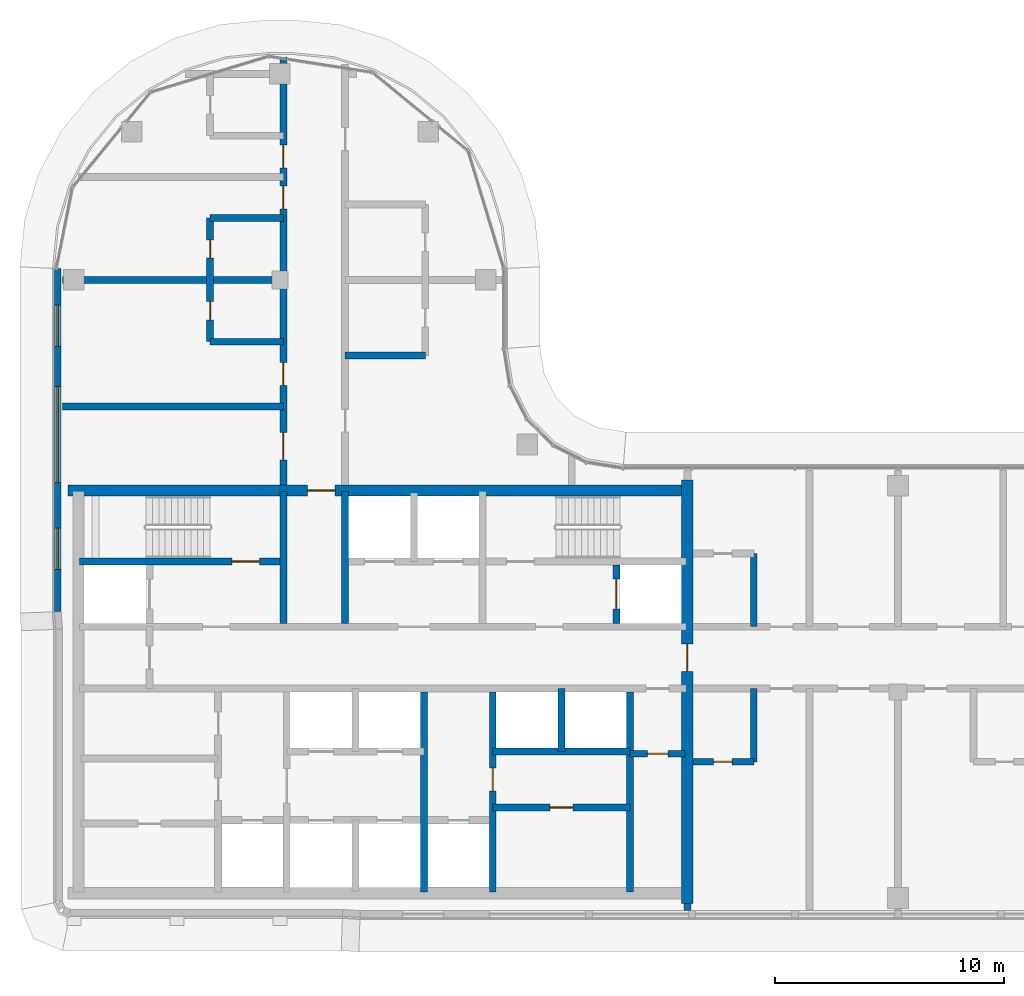
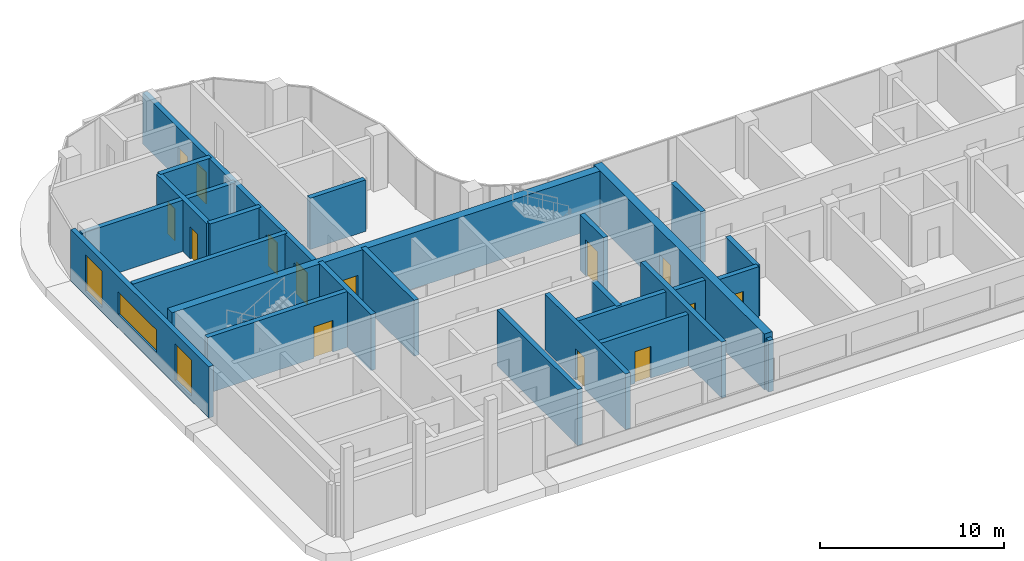
# One storey, part 13 of 22: 25 walls, 14 doors, 3 windows, 17 openings.
"""IFC4 building model written with IfcOpenShell, lengths in metres."""

from ifc_helpers import new_model, si_unit, direction, frame, frame_2d, origin, place, context, subcontext, project, spatial, rectangle, extrude, material, layer, layer_set, type_object, element, fill, save


model = new_model("IFC4")

# Units and contexts
model_context = context("Model", 3, precision=1e-05, world=origin(), true_north=direction((0.0, 1.0)))
body_context = subcontext(model_context, "Body", "Model", "MODEL_VIEW")
ifc_project = project(units=[si_unit("LENGTHUNIT", "METRE"), si_unit("AREAUNIT", "SQUARE_METRE"), si_unit("VOLUMEUNIT", "CUBIC_METRE"), si_unit("PLANEANGLEUNIT", "RADIAN"), si_unit("MASSUNIT", "GRAM", prefix="KILO")], contexts=[model_context])

# Site, building, storey
site_placement = place(None, origin())
site = spatial("IfcSite", under=ifc_project, at=site_placement, CompositionType="ELEMENT")
building_placement = place(site_placement, origin())
building = spatial("IfcBuilding", under=site, at=building_placement, Name="Ogive Portal Towers", CompositionType="ELEMENT")
storey_placement = place(building_placement, frame((0.0, 0.0, 206.89990234375)))
storey = spatial("IfcBuildingStorey", under=building, at=storey_placement, Name="L51", CompositionType="ELEMENT", Elevation=206.89990234375)

# Wall
ifc_material_1 = material(Name="Concrete C60/75", Category="concrete")
ifc_layer_1 = layer(ifc_material_1, 0.300048828125)
ifc_layer_set_1 = layer_set([ifc_layer_1], Name="CORE WALL 300 C60")
wall_type_1 = type_object("IfcWallType", Name="CORE WALL 300 C60", PredefinedType="SHEAR", material=ifc_layer_set_1)
wall_1_placement = place(storey_placement, frame((46.800048828125, 21.75, 0.0), z_axis=(0.0, 0.0, 1.0), x_axis=(0.0, 1.0, 0.0)))
element("IfcWall", 1, at=wall_1_placement, inside=storey, type_object=wall_type_1, Name="Core wall X3 L51", PredefinedType="SHEAR", context=body_context, shape_type="SweptSolid", body=[
    extrude(rectangle(XDim=8.75, YDim=0.300048828125, at=frame_2d((4.375, 0.0))), origin(), (0.0, 0.0, 1.0), 3.7001953125),
])

# Wall, opening, door
wall_2_placement = place(storey_placement, frame((49.800048828125, 21.75, 0.0), z_axis=(0.0, 0.0, 1.0), x_axis=(0.0, 1.0, 0.0)))
wall_2 = element("IfcWall", 2, at=wall_2_placement, inside=storey, type_object=wall_type_1, Name="Core wall X4 L51", PredefinedType="SHEAR", context=body_context, shape_type="SweptSolid", body=[
    extrude(rectangle(XDim=8.75, YDim=0.300048828125, at=frame_2d((4.375, 0.0))), origin(), (0.0, 0.0, 1.0), 3.7001953125),
])
opening_1_placement = place(wall_2_placement, frame((4.425048828125, 0.0, 0.0)))
opening_1 = element("IfcOpeningElement", 3, at=opening_1_placement, cuts=wall_2, Name="Opening D23-024", PredefinedType="OPENING", context=body_context, shape_type="SweptSolid", body=[
    extrude(rectangle(XDim=1.0, YDim=2.10009765625, at=frame_2d((0.5, 1.050048828125))), frame((0.0, 0.16015625, 0.0), z_axis=(0.0, -1.0, 0.0), x_axis=(1.0, 0.0, 0.0)), (0.0, 0.0, 1.0), 0.320068359375),
])
ifc_material_2 = material(Name="Steel fire door", Category="steel")
door_type_1 = type_object("IfcDoorType", Name="DT-SWING-1000x2100-FD90S", OperationType="SINGLE_SWING_LEFT", PredefinedType="DOOR", material=ifc_material_2)
door_1_placement = place(opening_1_placement, origin())
door_1 = element("IfcDoor", 4, at=door_1_placement, inside=storey, type_object=door_type_1, Name="Door D23-024", OperationType="SINGLE_SWING_RIGHT", OverallHeight=2.10009765625, OverallWidth=1.0, PredefinedType="DOOR", context=body_context, shape_type="SweptSolid", body=[
    extrude(rectangle(XDim=1.0, YDim=2.10009765625, at=frame_2d((0.5, 1.050048828125))), frame((0.0, 0.02490234375, 0.0), z_axis=(0.0, -1.0, 0.0), x_axis=(1.0, 0.0, 0.0)), (0.0, 0.0, 1.0), 0.050048828125),
])
fill(opening_1, door_1)

# Wall
wall_3_placement = place(storey_placement, frame((55.800048828125, 21.75, 0.0), z_axis=(0.0, 0.0, 1.0), x_axis=(0.0, 1.0, 0.0)))
element("IfcWall", 5, at=wall_3_placement, inside=storey, type_object=wall_type_1, Name="Core wall X5 L51", PredefinedType="SHEAR", context=body_context, shape_type="SweptSolid", body=[
    extrude(rectangle(XDim=8.75, YDim=0.300048828125, at=frame_2d((4.375, 0.0))), origin(), (0.0, 0.0, 1.0), 3.7001953125),
])

# Wall, opening, door
wall_4_placement = place(storey_placement, frame((31.75, 36.199951171875, 0.0), z_axis=(0.0, 0.0, 1.0), x_axis=(1.0, 0.0, 0.0)))
wall_4 = element("IfcWall", 6, at=wall_4_placement, inside=storey, type_object=wall_type_1, Name="Core wall Y3a L51", PredefinedType="SHEAR", context=body_context, shape_type="SweptSolid", body=[
    extrude(rectangle(XDim=8.75, YDim=0.300048828125, at=frame_2d((4.375, 0.0))), origin(), (0.0, 0.0, 1.0), 3.7001953125),
])
opening_2_placement = place(wall_4_placement, frame((6.64990234375, 0.0, 0.0)))
opening_2 = element("IfcOpeningElement", 7, at=opening_2_placement, cuts=wall_4, Name="Opening D23-005", PredefinedType="OPENING", context=body_context, shape_type="SweptSolid", body=[
    extrude(rectangle(XDim=1.199951171875, YDim=2.10009765625, at=frame_2d((0.60009765625, 1.050048828125))), frame((0.0, 0.16015625, 0.0), z_axis=(0.0, -1.0, 0.0), x_axis=(1.0, 0.0, 0.0)), (0.0, 0.0, 1.0), 0.320068359375),
])
door_type_2 = type_object("IfcDoorType", Name="DT-SWING-1200x2100-FD90S", OperationType="SINGLE_SWING_LEFT", PredefinedType="DOOR", material=ifc_material_2)
door_2_placement = place(opening_2_placement, origin())
door_2 = element("IfcDoor", 8, at=door_2_placement, inside=storey, type_object=door_type_2, Name="Door D23-005", OperationType="SINGLE_SWING_RIGHT", OverallHeight=2.10009765625, OverallWidth=1.199951171875, PredefinedType="DOOR", context=body_context, shape_type="SweptSolid", body=[
    extrude(rectangle(XDim=1.199951171875, YDim=2.10009765625, at=frame_2d((0.60009765625, 1.050048828125))), frame((0.0, 0.02490234375, 0.0), z_axis=(0.0, -1.0, 0.0), x_axis=(1.0, 0.0, 0.0)), (0.0, 0.0, 1.0), 0.050048828125),
])
fill(opening_2, door_2)

# Walls
for number, where, z_axis, x_axis, name in (
    (9, (40.64990234375, 33.5, 0.0), (0.0, 0.0, 1.0), (0.0, 1.0, 0.0), "Core wall X6 L51"),
    (10, (43.35009765625, 33.5, 0.0), (0.0, 0.0, 1.0), (0.0, 1.0, 0.0), "Core wall X7 L51"),
):
    element("IfcWall", number, at=place(storey_placement, frame(where, z_axis=z_axis, x_axis=x_axis)), inside=storey, type_object=wall_type_1, Name=name, PredefinedType="SHEAR", context=body_context, shape_type="SweptSolid", body=[
        extrude(rectangle(XDim=5.75, YDim=0.300048828125, at=frame_2d((2.875, 0.0))), origin(), (0.0, 0.0, 1.0), 3.7001953125),
    ])

# Wall, opening, door
wall_5_placement = place(storey_placement, frame((55.199951171875, 33.5, 0.0), z_axis=(0.0, 0.0, 1.0), x_axis=(0.0, 1.0, 0.0)))
wall_5 = element("IfcWall", 11, at=wall_5_placement, inside=storey, type_object=wall_type_1, Name="Core wall X10 L51", PredefinedType="SHEAR", context=body_context, shape_type="SweptSolid", body=[
    extrude(rectangle(XDim=2.550048828125, YDim=0.300048828125, at=frame_2d((1.27490234375, 0.0))), origin(), (0.0, 0.0, 1.0), 3.7001953125),
])
opening_3_placement = place(wall_5_placement, frame((0.625, 0.0, 0.0)))
opening_3 = element("IfcOpeningElement", 12, at=opening_3_placement, cuts=wall_5, Name="Opening D23-020", PredefinedType="OPENING", context=body_context, shape_type="SweptSolid", body=[
    extrude(rectangle(XDim=1.300048828125, YDim=2.39990234375, at=frame_2d((0.64990234375, 1.199951171875))), frame((0.0, 0.16015625, 0.0), z_axis=(0.0, -1.0, 0.0), x_axis=(1.0, 0.0, 0.0)), (0.0, 0.0, 1.0), 0.320068359375),
])
ifc_material_3 = material(Name="Stainless steel", Category="steel")
door_type_3 = type_object("IfcDoorType", Name="DT-LD-1300x2400", OperationType="SLIDING_TO_LEFT", PredefinedType="DOOR", material=ifc_material_3)
door_3_placement = place(opening_3_placement, origin())
door_3 = element("IfcDoor", 13, at=door_3_placement, inside=storey, type_object=door_type_3, Name="Door D23-020", OperationType="SLIDING_TO_LEFT", OverallHeight=2.39990234375, OverallWidth=1.300048828125, PredefinedType="DOOR", context=body_context, shape_type="SweptSolid", body=[
    extrude(rectangle(XDim=1.300048828125, YDim=2.39990234375, at=frame_2d((0.64990234375, 1.199951171875))), frame((0.0, 0.02490234375, 0.0), z_axis=(0.0, -1.0, 0.0), x_axis=(1.0, 0.0, 0.0)), (0.0, 0.0, 1.0), 0.050048828125),
])
fill(opening_3, door_3)

ifc_layer_2 = layer(ifc_material_1, 0.5)
ifc_layer_set_2 = layer_set([ifc_layer_2], Name="CORE WALL 500 C60")
wall_type_2 = type_object("IfcWallType", Name="CORE WALL 500 C60", PredefinedType="SHEAR", material=ifc_layer_set_2)
wall_6_placement = place(storey_placement, frame((58.300048828125, 21.25, 0.0), z_axis=(0.0, 0.0, 1.0), x_axis=(0.0, 1.0, 0.0)))
wall_6 = element("IfcWall", 14, at=wall_6_placement, inside=storey, type_object=wall_type_2, Name="Core wall E L51", PredefinedType="SHEAR", context=body_context, shape_type="SweptSolid", body=[
    extrude(rectangle(XDim=18.5, YDim=0.5, at=frame_2d((9.25, 0.0))), origin(), (0.0, 0.0, 1.0), 3.7001953125),
])
opening_4_placement = place(wall_6_placement, frame((10.14990234375, 0.0, 0.0)))
opening_4 = element("IfcOpeningElement", 15, at=opening_4_placement, cuts=wall_6, Name="Opening D23-011", PredefinedType="OPENING", context=body_context, shape_type="SweptSolid", body=[
    extrude(rectangle(XDim=1.199951171875, YDim=2.10009765625, at=frame_2d((0.60009765625, 1.050048828125))), frame((0.0, 0.260009765625, 0.0), z_axis=(0.0, -1.0, 0.0), x_axis=(1.0, 0.0, 0.0)), (0.0, 0.0, 1.0), 0.52001953125),
])
door_4_placement = place(opening_4_placement, origin())
door_4 = element("IfcDoor", 16, at=door_4_placement, inside=storey, type_object=door_type_2, Name="Door D23-011", OperationType="SINGLE_SWING_LEFT", OverallHeight=2.10009765625, OverallWidth=1.199951171875, PredefinedType="DOOR", context=body_context, shape_type="SweptSolid", body=[
    extrude(rectangle(XDim=1.199951171875, YDim=2.10009765625, at=frame_2d((0.60009765625, 1.050048828125))), frame((0.0, 0.02490234375, 0.0), z_axis=(0.0, -1.0, 0.0), x_axis=(1.0, 0.0, 0.0)), (0.0, 0.0, 1.0), 0.050048828125),
])
fill(opening_4, door_4)

wall_7_placement = place(storey_placement, frame((31.25, 39.300048828125, 0.0), z_axis=(0.0, 0.0, 1.0), x_axis=(1.0, 0.0, 0.0)))
wall_7 = element("IfcWall", 17, at=wall_7_placement, inside=storey, type_object=wall_type_2, Name="Core wall N L51", PredefinedType="SHEAR", context=body_context, shape_type="SweptSolid", body=[
    extrude(rectangle(XDim=27.0, YDim=0.5, at=frame_2d((13.5, 0.0))), origin(), (0.0, 0.0, 1.0), 3.7001953125),
])
opening_5_placement = place(wall_7_placement, frame((10.449951171875, 0.0, 0.0)))
opening_5 = element("IfcOpeningElement", 18, at=opening_5_placement, cuts=wall_7, Name="Opening D23-012", PredefinedType="OPENING", context=body_context, shape_type="SweptSolid", body=[
    extrude(rectangle(XDim=1.199951171875, YDim=2.10009765625, at=frame_2d((0.60009765625, 1.050048828125))), frame((0.0, 0.260009765625, 0.0), z_axis=(0.0, -1.0, 0.0), x_axis=(1.0, 0.0, 0.0)), (0.0, 0.0, 1.0), 0.52001953125),
])
door_5_placement = place(opening_5_placement, origin())
door_5 = element("IfcDoor", 19, at=door_5_placement, inside=storey, type_object=door_type_2, Name="Door D23-012", OperationType="SINGLE_SWING_RIGHT", OverallHeight=2.10009765625, OverallWidth=1.199951171875, PredefinedType="DOOR", context=body_context, shape_type="SweptSolid", body=[
    extrude(rectangle(XDim=1.199951171875, YDim=2.10009765625, at=frame_2d((0.60009765625, 1.050048828125))), frame((0.0, 0.02490234375, 0.0), z_axis=(0.0, -1.0, 0.0), x_axis=(1.0, 0.0, 0.0)), (0.0, 0.0, 1.0), 0.050048828125),
])
fill(opening_5, door_5)

# Wall, openings, windows
ifc_material_4 = material(Name="Limestone cladding on lightweight block wall", Category="masonry")
ifc_layer_3 = layer(ifc_material_4, 0.300048828125)
ifc_layer_set_3 = layer_set([ifc_layer_3], Name="EXTERNAL WALL 300 STONE")
wall_type_3 = type_object("IfcWallType", Name="EXTERNAL WALL 300 STONE", PredefinedType="SOLIDWALL", material=ifc_layer_set_3)
wall_8_placement = place(storey_placement, frame((30.794921875, 48.9921875, 0.0), z_axis=(0.0, 0.0, 1.0), x_axis=(0.0, -1.0, 0.0)))
wall_8 = element("IfcWall", 20, at=wall_8_placement, inside=storey, type_object=wall_type_3, Name="A:L51:f24:r0:wall", PredefinedType="SOLIDWALL", context=body_context, shape_type="SweptSolid", body=[
    extrude(rectangle(XDim=14.9814453125, YDim=0.300048828125, at=frame_2d((7.49072265625, 0.0))), origin(), (0.0, 0.0, 1.0), 3.400146484375),
])
opening_6_placement = place(wall_8_placement, frame((1.595947265625, 0.0, 0.300048828125)))
opening_6 = element("IfcOpeningElement", 21, at=opening_6_placement, cuts=wall_8, Name="Opening WN10", PredefinedType="OPENING", context=body_context, shape_type="SweptSolid", body=[
    extrude(rectangle(XDim=1.800048828125, YDim=2.39990234375, at=frame_2d((0.89990234375, 1.199951171875))), frame((0.0, 0.16015625, 0.0), z_axis=(0.0, -1.0, 0.0), x_axis=(1.0, 0.0, 0.0)), (0.0, 0.0, 1.0), 0.320068359375),
])
opening_7_placement = place(wall_8_placement, frame((5.14208984375, 0.0, 0.89990234375)))
opening_7 = element("IfcOpeningElement", 22, at=opening_7_placement, cuts=wall_8, Name="Opening WN11", PredefinedType="OPENING", context=body_context, shape_type="SweptSolid", body=[
    extrude(rectangle(XDim=4.199951171875, YDim=1.5, at=frame_2d((2.10009765625, 0.75))), frame((0.0, 0.16015625, 0.0), z_axis=(0.0, -1.0, 0.0), x_axis=(1.0, 0.0, 0.0)), (0.0, 0.0, 1.0), 0.320068359375),
])
opening_8_placement = place(wall_8_placement, frame((11.336669921875, 0.0, 0.300048828125)))
opening_8 = element("IfcOpeningElement", 23, at=opening_8_placement, cuts=wall_8, Name="Opening WN10", PredefinedType="OPENING", context=body_context, shape_type="SweptSolid", body=[
    extrude(rectangle(XDim=1.800048828125, YDim=2.39990234375, at=frame_2d((0.89990234375, 1.199951171875))), frame((0.0, 0.16015625, 0.0), z_axis=(0.0, -1.0, 0.0), x_axis=(1.0, 0.0, 0.0)), (0.0, 0.0, 1.0), 0.320068359375),
])
ifc_material_5 = material(Name="Glass, clear low-iron insulated glazing", Category="glass")
window_type_1 = type_object("IfcWindowType", Name="WINDOW RIBBON 4200x1500", PartitioningType="TRIPLE_PANEL_VERTICAL", PredefinedType="WINDOW", material=ifc_material_5)
window_1_placement = place(opening_7_placement, origin())
window_1 = element("IfcWindow", 24, at=window_1_placement, inside=storey, type_object=window_type_1, Name="A:L51:f24:r0:w1", OverallHeight=1.5, OverallWidth=4.199951171875, PartitioningType="SINGLE_PANEL", PredefinedType="WINDOW", context=body_context, shape_type="SweptSolid", body=[
    extrude(rectangle(XDim=4.199951171875, YDim=1.5, at=frame_2d((2.10009765625, 0.75))), frame((0.0, 0.030029296875, 0.0), z_axis=(0.0, -1.0, 0.0), x_axis=(1.0, 0.0, 0.0)), (0.0, 0.0, 1.0), 0.06005859375),
])
fill(opening_7, window_1)
window_type_2 = type_object("IfcWindowType", Name="WINDOW SUITE CORNER 1800x2400", PartitioningType="DOUBLE_PANEL_VERTICAL", PredefinedType="WINDOW", material=ifc_material_5)
window_2_placement = place(opening_6_placement, origin())
window_2 = element("IfcWindow", 25, at=window_2_placement, inside=storey, type_object=window_type_2, Name="A:L51:f24:r0:w0", OverallHeight=2.39990234375, OverallWidth=1.800048828125, PartitioningType="SINGLE_PANEL", PredefinedType="WINDOW", context=body_context, shape_type="SweptSolid", body=[
    extrude(rectangle(XDim=1.800048828125, YDim=2.39990234375, at=frame_2d((0.89990234375, 1.199951171875))), frame((0.0, 0.030029296875, 0.0), z_axis=(0.0, -1.0, 0.0), x_axis=(1.0, 0.0, 0.0)), (0.0, 0.0, 1.0), 0.06005859375),
])
fill(opening_6, window_2)
window_3_placement = place(opening_8_placement, origin())
window_3 = element("IfcWindow", 26, at=window_3_placement, inside=storey, type_object=window_type_2, Name="A:L51:f24:r0:w2", OverallHeight=2.39990234375, OverallWidth=1.800048828125, PartitioningType="SINGLE_PANEL", PredefinedType="WINDOW", context=body_context, shape_type="SweptSolid", body=[
    extrude(rectangle(XDim=1.800048828125, YDim=2.39990234375, at=frame_2d((0.89990234375, 1.199951171875))), frame((0.0, 0.030029296875, 0.0), z_axis=(0.0, -1.0, 0.0), x_axis=(1.0, 0.0, 0.0)), (0.0, 0.0, 1.0), 0.06005859375),
])
fill(opening_8, window_3)

# Wall, opening, door
ifc_material_6 = material(Name="Gypsum board partition on steel studs", Category="steel")
ifc_layer_4 = layer(ifc_material_6, 0.300048828125)
ifc_layer_set_4 = layer_set([ifc_layer_4], Name="WT-PART-300")
wall_type_4 = type_object("IfcWallType", Name="WT-PART-300", PredefinedType="PARTITIONING", material=ifc_layer_set_4)
wall_9_placement = place(storey_placement, frame((49.800048828125, 25.449951171875, 0.0), z_axis=(0.0, 0.0, 1.0), x_axis=(1.0, 0.0, 0.0)))
wall_9 = element("IfcWall", 27, at=wall_9_placement, inside=storey, type_object=wall_type_4, Name="Wall pw:003:L51", PredefinedType="PARTITIONING", context=body_context, shape_type="SweptSolid", body=[
    extrude(rectangle(XDim=6.0, YDim=0.300048828125, at=frame_2d((3.0, 0.0))), origin(), (0.0, 0.0, 1.0), 3.400146484375),
])
opening_9_placement = place(wall_9_placement, frame((2.5, 0.0, 0.0)))
opening_9 = element("IfcOpeningElement", 28, at=opening_9_placement, cuts=wall_9, Name="Opening D23-025", PredefinedType="OPENING", context=body_context, shape_type="SweptSolid", body=[
    extrude(rectangle(XDim=1.0, YDim=2.10009765625, at=frame_2d((0.5, 1.050048828125))), frame((0.0, 0.16015625, 0.0), z_axis=(0.0, -1.0, 0.0), x_axis=(1.0, 0.0, 0.0)), (0.0, 0.0, 1.0), 0.320068359375),
])
door_type_4 = type_object("IfcDoorType", Name="DT-SWING-1000x2100-FD60S", OperationType="SINGLE_SWING_LEFT", PredefinedType="DOOR", material=ifc_material_2)
door_6_placement = place(opening_9_placement, origin())
door_6 = element("IfcDoor", 29, at=door_6_placement, inside=storey, type_object=door_type_4, Name="Door D23-025", OperationType="SINGLE_SWING_RIGHT", OverallHeight=2.10009765625, OverallWidth=1.0, PredefinedType="DOOR", context=body_context, shape_type="SweptSolid", body=[
    extrude(rectangle(XDim=1.0, YDim=2.10009765625, at=frame_2d((0.5, 1.050048828125))), frame((0.0, 0.02490234375, 0.0), z_axis=(0.0, -1.0, 0.0), x_axis=(1.0, 0.0, 0.0)), (0.0, 0.0, 1.0), 0.050048828125),
])
fill(opening_9, door_6)

wall_10_placement = place(storey_placement, frame((55.800048828125, 27.800048828125, 0.0), z_axis=(0.0, 0.0, 1.0), x_axis=(1.0, 0.0, 0.0)))
wall_10 = element("IfcWall", 30, at=wall_10_placement, inside=storey, type_object=wall_type_4, Name="Wall pw:005:L51", PredefinedType="PARTITIONING", context=body_context, shape_type="SweptSolid", body=[
    extrude(rectangle(XDim=2.39990234375, YDim=0.300048828125, at=frame_2d((1.199951171875, 0.0))), origin(), (0.0, 0.0, 1.0), 3.400146484375),
])
opening_10_placement = place(wall_10_placement, frame((0.75, 0.0, 0.0)))
opening_10 = element("IfcOpeningElement", 31, at=opening_10_placement, cuts=wall_10, Name="Opening D23-010", PredefinedType="OPENING", context=body_context, shape_type="SweptSolid", body=[
    extrude(rectangle(XDim=0.89990234375, YDim=2.10009765625, at=frame_2d((0.449951171875, 1.050048828125))), frame((0.0, 0.16015625, 0.0), z_axis=(0.0, -1.0, 0.0), x_axis=(1.0, 0.0, 0.0)), (0.0, 0.0, 1.0), 0.320068359375),
])
door_type_5 = type_object("IfcDoorType", Name="DT-SWING-900x2100-FD60S", OperationType="SINGLE_SWING_LEFT", PredefinedType="DOOR", material=ifc_material_2)
door_7_placement = place(opening_10_placement, origin())
door_7 = element("IfcDoor", 32, at=door_7_placement, inside=storey, type_object=door_type_5, Name="Door D23-010", OperationType="SINGLE_SWING_RIGHT", OverallHeight=2.10009765625, OverallWidth=0.89990234375, PredefinedType="DOOR", context=body_context, shape_type="SweptSolid", body=[
    extrude(rectangle(XDim=0.89990234375, YDim=2.10009765625, at=frame_2d((0.449951171875, 1.050048828125))), frame((0.0, 0.02490234375, 0.0), z_axis=(0.0, -1.0, 0.0), x_axis=(1.0, 0.0, 0.0)), (0.0, 0.0, 1.0), 0.050048828125),
])
fill(opening_10, door_7)

# Wall
ifc_layer_5 = layer(ifc_material_6, 0.300048828125)
ifc_layer_set_5 = layer_set([ifc_layer_5], Name="WT-PART-300-EI 120")
wall_type_5 = type_object("IfcWallType", Name="WT-PART-300-EI 120", PredefinedType="PARTITIONING", material=ifc_layer_set_5)
wall_11_placement = place(storey_placement, frame((58.300048828125, 21.25, 0.0), z_axis=(0.0, 0.0, 1.0), x_axis=(0.0, -1.0, 0.0)))
element("IfcWall", 33, at=wall_11_placement, inside=storey, type_object=wall_type_5, Name="Wall L51:wc01", PredefinedType="PARTITIONING", context=body_context, shape_type="SweptSolid", body=[
    extrude(rectangle(XDim=0.294921875, YDim=0.300048828125, at=frame_2d((0.1474609375, 0.0))), origin(), (0.0, 0.0, 1.0), 3.400146484375),
])

# Wall, opening, door
ifc_layer_6 = layer(ifc_material_6, 0.300048828125)
ifc_layer_set_6 = layer_set([ifc_layer_6], Name="WT-PART-300-EI 60")
wall_type_6 = type_object("IfcWallType", Name="WT-PART-300-EI 60", PredefinedType="PARTITIONING", material=ifc_layer_set_6)
wall_12_placement = place(storey_placement, frame((58.550048828125, 27.449951171875, 0.0), z_axis=(0.0, 0.0, 1.0), x_axis=(1.0, 0.0, 0.0)))
wall_12 = element("IfcWall", 34, at=wall_12_placement, inside=storey, type_object=wall_type_6, Name="Wall L51:w002", PredefinedType="PARTITIONING", context=body_context, shape_type="SweptSolid", body=[
    extrude(rectangle(XDim=2.64990234375, YDim=0.300048828125, at=frame_2d((1.324951171875, 0.0))), origin(), (0.0, 0.0, 1.0), 3.400146484375),
])
opening_11_placement = place(wall_12_placement, frame((0.89990234375, 0.0, 0.0)))
opening_11 = element("IfcOpeningElement", 35, at=opening_11_placement, cuts=wall_12, Name="Opening D23-030", PredefinedType="OPENING", context=body_context, shape_type="SweptSolid", body=[
    extrude(rectangle(XDim=0.800048828125, YDim=2.10009765625, at=frame_2d((0.39990234375, 1.050048828125))), frame((0.0, 0.16015625, 0.0), z_axis=(0.0, -1.0, 0.0), x_axis=(1.0, 0.0, 0.0)), (0.0, 0.0, 1.0), 0.320068359375),
])
door_type_6 = type_object("IfcDoorType", Name="DT-BATH-800x2100-FD60S", OperationType="SINGLE_SWING_LEFT", PredefinedType="DOOR", material=ifc_material_2)
door_8_placement = place(opening_11_placement, origin())
door_8 = element("IfcDoor", 36, at=door_8_placement, inside=storey, type_object=door_type_6, Name="Door D23-030", OperationType="SINGLE_SWING_LEFT", OverallHeight=2.10009765625, OverallWidth=0.800048828125, PredefinedType="DOOR", context=body_context, shape_type="SweptSolid", body=[
    extrude(rectangle(XDim=0.800048828125, YDim=2.10009765625, at=frame_2d((0.39990234375, 1.050048828125))), frame((0.0, 0.02490234375, 0.0), z_axis=(0.0, -1.0, 0.0), x_axis=(1.0, 0.0, 0.0)), (0.0, 0.0, 1.0), 0.050048828125),
])
fill(opening_11, door_8)

# Walls
wall_13_placement = place(storey_placement, frame((30.9951171875, 42.969970703125, 0.0), z_axis=(0.0, 0.0, 1.0), x_axis=(1.0, 0.0, 0.0)))
element("IfcWall", 37, at=wall_13_placement, inside=storey, type_object=wall_type_6, Name="Wall L51:w012", PredefinedType="PARTITIONING", context=body_context, shape_type="SweptSolid", body=[
    extrude(rectangle(XDim=9.65478515625, YDim=0.300048828125, at=frame_2d((4.827392578125, 0.0))), origin(), (0.0, 0.0, 1.0), 3.400146484375),
])
wall_14_placement = place(storey_placement, frame((43.35009765625, 45.199951171875, 0.0), z_axis=(0.0, 0.0, 1.0), x_axis=(1.0, 0.0, 0.0)))
element("IfcWall", 38, at=wall_14_placement, inside=storey, type_object=wall_type_6, Name="Wall L51:w013", PredefinedType="PARTITIONING", context=body_context, shape_type="SweptSolid", body=[
    extrude(rectangle(XDim=3.5, YDim=0.300048828125, at=frame_2d((1.75, 0.0))), origin(), (0.0, 0.0, 1.0), 3.400146484375),
])
wall_15_placement = place(storey_placement, frame((37.449951171875, 45.800048828125, 0.0), z_axis=(0.0, 0.0, 1.0), x_axis=(1.0, 0.0, 0.0)))
element("IfcWall", 39, at=wall_15_placement, inside=storey, type_object=wall_type_6, Name="Wall L51:w014", PredefinedType="PARTITIONING", context=body_context, shape_type="SweptSolid", body=[
    extrude(rectangle(XDim=3.199951171875, YDim=0.300048828125, at=frame_2d((1.60009765625, 0.0))), origin(), (0.0, 0.0, 1.0), 3.400146484375),
])
wall_16_placement = place(storey_placement, frame((30.9951171875, 48.5, 0.0), z_axis=(0.0, 0.0, 1.0), x_axis=(1.0, 0.0, 0.0)))
element("IfcWall", 40, at=wall_16_placement, inside=storey, type_object=wall_type_6, Name="Wall L51:w015", PredefinedType="PARTITIONING", context=body_context, shape_type="SweptSolid", body=[
    extrude(rectangle(XDim=9.65478515625, YDim=0.300048828125, at=frame_2d((4.827392578125, 0.0))), origin(), (0.0, 0.0, 1.0), 3.400146484375),
])
wall_17_placement = place(storey_placement, frame((37.449951171875, 51.199951171875, 0.0), z_axis=(0.0, 0.0, 1.0), x_axis=(1.0, 0.0, 0.0)))
element("IfcWall", 41, at=wall_17_placement, inside=storey, type_object=wall_type_6, Name="Wall L51:w017", PredefinedType="PARTITIONING", context=body_context, shape_type="SweptSolid", body=[
    extrude(rectangle(XDim=3.199951171875, YDim=0.300048828125, at=frame_2d((1.60009765625, 0.0))), origin(), (0.0, 0.0, 1.0), 3.400146484375),
])

# Wall, openings, doors
wall_18_placement = place(storey_placement, frame((37.449951171875, 45.800048828125, 0.0), z_axis=(0.0, 0.0, 1.0), x_axis=(0.0, 1.0, 0.0)))
wall_18 = element("IfcWall", 42, at=wall_18_placement, inside=storey, type_object=wall_type_6, Name="Wall L51:w023", PredefinedType="PARTITIONING", context=body_context, shape_type="SweptSolid", body=[
    extrude(rectangle(XDim=5.39990234375, YDim=0.300048828125, at=frame_2d((2.699951171875, 0.0))), origin(), (0.0, 0.0, 1.0), 3.400146484375),
])
opening_12_placement = place(wall_18_placement, frame((0.949951171875, 0.0, 0.0)))
opening_12 = element("IfcOpeningElement", 43, at=opening_12_placement, cuts=wall_18, Name="Opening D23-048", PredefinedType="OPENING", context=body_context, shape_type="SweptSolid", body=[
    extrude(rectangle(XDim=0.800048828125, YDim=2.10009765625, at=frame_2d((0.39990234375, 1.050048828125))), frame((0.0, 0.16015625, 0.0), z_axis=(0.0, -1.0, 0.0), x_axis=(1.0, 0.0, 0.0)), (0.0, 0.0, 1.0), 0.320068359375),
])
opening_13_placement = place(wall_18_placement, frame((3.64990234375, 0.0, 0.0)))
opening_13 = element("IfcOpeningElement", 44, at=opening_13_placement, cuts=wall_18, Name="Opening D23-052", PredefinedType="OPENING", context=body_context, shape_type="SweptSolid", body=[
    extrude(rectangle(XDim=0.800048828125, YDim=2.10009765625, at=frame_2d((0.39990234375, 1.050048828125))), frame((0.0, 0.16015625, 0.0), z_axis=(0.0, -1.0, 0.0), x_axis=(1.0, 0.0, 0.0)), (0.0, 0.0, 1.0), 0.320068359375),
])
door_9_placement = place(opening_12_placement, origin())
door_9 = element("IfcDoor", 45, at=door_9_placement, inside=storey, type_object=door_type_6, Name="Door D23-048", OperationType="SINGLE_SWING_LEFT", OverallHeight=2.10009765625, OverallWidth=0.800048828125, PredefinedType="DOOR", context=body_context, shape_type="SweptSolid", body=[
    extrude(rectangle(XDim=0.800048828125, YDim=2.10009765625, at=frame_2d((0.39990234375, 1.050048828125))), frame((0.0, 0.02490234375, 0.0), z_axis=(0.0, -1.0, 0.0), x_axis=(1.0, 0.0, 0.0)), (0.0, 0.0, 1.0), 0.050048828125),
])
fill(opening_12, door_9)
door_10_placement = place(opening_13_placement, origin())
door_10 = element("IfcDoor", 46, at=door_10_placement, inside=storey, type_object=door_type_6, Name="Door D23-052", OperationType="SINGLE_SWING_RIGHT", OverallHeight=2.10009765625, OverallWidth=0.800048828125, PredefinedType="DOOR", context=body_context, shape_type="SweptSolid", body=[
    extrude(rectangle(XDim=0.800048828125, YDim=2.10009765625, at=frame_2d((0.39990234375, 1.050048828125))), frame((0.0, 0.02490234375, 0.0), z_axis=(0.0, -1.0, 0.0), x_axis=(1.0, 0.0, 0.0)), (0.0, 0.0, 1.0), 0.050048828125),
])
fill(opening_13, door_10)

wall_19_placement = place(storey_placement, frame((40.64990234375, 39.550048828125, 0.0), z_axis=(0.0, 0.0, 1.0), x_axis=(0.0, 1.0, 0.0)))
wall_19 = element("IfcWall", 47, at=wall_19_placement, inside=storey, type_object=wall_type_6, Name="Wall L51:w025", PredefinedType="PARTITIONING", context=body_context, shape_type="SweptSolid", body=[
    extrude(rectangle(XDim=18.695068359375, YDim=0.300048828125, at=frame_2d((9.34765625, 0.0))), origin(), (0.0, 0.0, 1.0), 3.400146484375),
])
opening_14_placement = place(wall_19_placement, frame((1.0849609375, 0.0, 0.0)))
opening_14 = element("IfcOpeningElement", 48, at=opening_14_placement, cuts=wall_19, Name="Opening D23-047", PredefinedType="OPENING", context=body_context, shape_type="SweptSolid", body=[
    extrude(rectangle(XDim=1.199951171875, YDim=2.10009765625, at=frame_2d((0.60009765625, 1.050048828125))), frame((0.0, 0.16015625, 0.0), z_axis=(0.0, -1.0, 0.0), x_axis=(1.0, 0.0, 0.0)), (0.0, 0.0, 1.0), 0.320068359375),
])
opening_15_placement = place(wall_19_placement, frame((4.3349609375, 0.0, 0.0)))
opening_15 = element("IfcOpeningElement", 49, at=opening_15_placement, cuts=wall_19, Name="Opening D23-049", PredefinedType="OPENING", context=body_context, shape_type="SweptSolid", body=[
    extrude(rectangle(XDim=1.0, YDim=2.10009765625, at=frame_2d((0.5, 1.050048828125))), frame((0.0, 0.16015625, 0.0), z_axis=(0.0, -1.0, 0.0), x_axis=(1.0, 0.0, 0.0)), (0.0, 0.0, 1.0), 0.320068359375),
])
opening_16_placement = place(wall_19_placement, frame((12.050048828125, 0.0, 0.0)))
opening_16 = element("IfcOpeningElement", 50, at=opening_16_placement, cuts=wall_19, Name="Opening D23-053", PredefinedType="OPENING", context=body_context, shape_type="SweptSolid", body=[
    extrude(rectangle(XDim=1.0, YDim=2.10009765625, at=frame_2d((0.5, 1.050048828125))), frame((0.0, 0.16015625, 0.0), z_axis=(0.0, -1.0, 0.0), x_axis=(1.0, 0.0, 0.0)), (0.0, 0.0, 1.0), 0.320068359375),
])
opening_17_placement = place(wall_19_placement, frame((13.85009765625, 0.0, 0.0)))
opening_17 = element("IfcOpeningElement", 51, at=opening_17_placement, cuts=wall_19, Name="Opening D23-055", PredefinedType="OPENING", context=body_context, shape_type="SweptSolid", body=[
    extrude(rectangle(XDim=1.0, YDim=2.10009765625, at=frame_2d((0.5, 1.050048828125))), frame((0.0, 0.16015625, 0.0), z_axis=(0.0, -1.0, 0.0), x_axis=(1.0, 0.0, 0.0)), (0.0, 0.0, 1.0), 0.320068359375),
])
door_type_7 = type_object("IfcDoorType", Name="DT-ENTRY-1000x2100-FD60S", OperationType="SINGLE_SWING_LEFT", PredefinedType="DOOR", material=ifc_material_2)
door_11_placement = place(opening_15_placement, origin())
door_11 = element("IfcDoor", 52, at=door_11_placement, inside=storey, type_object=door_type_7, Name="Door D23-049", OperationType="SINGLE_SWING_LEFT", OverallHeight=2.10009765625, OverallWidth=1.0, PredefinedType="DOOR", context=body_context, shape_type="SweptSolid", body=[
    extrude(rectangle(XDim=1.0, YDim=2.10009765625, at=frame_2d((0.5, 1.050048828125))), frame((0.0, 0.02490234375, 0.0), z_axis=(0.0, -1.0, 0.0), x_axis=(1.0, 0.0, 0.0)), (0.0, 0.0, 1.0), 0.050048828125),
])
fill(opening_15, door_11)
door_12_placement = place(opening_16_placement, origin())
door_12 = element("IfcDoor", 53, at=door_12_placement, inside=storey, type_object=door_type_7, Name="Door D23-053", OperationType="SINGLE_SWING_LEFT", OverallHeight=2.10009765625, OverallWidth=1.0, PredefinedType="DOOR", context=body_context, shape_type="SweptSolid", body=[
    extrude(rectangle(XDim=1.0, YDim=2.10009765625, at=frame_2d((0.5, 1.050048828125))), frame((0.0, 0.02490234375, 0.0), z_axis=(0.0, -1.0, 0.0), x_axis=(1.0, 0.0, 0.0)), (0.0, 0.0, 1.0), 0.050048828125),
])
fill(opening_16, door_12)
door_13_placement = place(opening_17_placement, origin())
door_13 = element("IfcDoor", 54, at=door_13_placement, inside=storey, type_object=door_type_7, Name="Door D23-055", OperationType="SINGLE_SWING_LEFT", OverallHeight=2.10009765625, OverallWidth=1.0, PredefinedType="DOOR", context=body_context, shape_type="SweptSolid", body=[
    extrude(rectangle(XDim=1.0, YDim=2.10009765625, at=frame_2d((0.5, 1.050048828125))), frame((0.0, 0.02490234375, 0.0), z_axis=(0.0, -1.0, 0.0), x_axis=(1.0, 0.0, 0.0)), (0.0, 0.0, 1.0), 0.050048828125),
])
fill(opening_17, door_13)
door_type_8 = type_object("IfcDoorType", Name="DT-ENTRY-1200x2100-FD60S", OperationType="SINGLE_SWING_LEFT", PredefinedType="DOOR", material=ifc_material_2)
door_14_placement = place(opening_14_placement, origin())
door_14 = element("IfcDoor", 55, at=door_14_placement, inside=storey, type_object=door_type_8, Name="Door D23-047", OperationType="SINGLE_SWING_RIGHT", OverallHeight=2.10009765625, OverallWidth=1.199951171875, PredefinedType="DOOR", context=body_context, shape_type="SweptSolid", body=[
    extrude(rectangle(XDim=1.199951171875, YDim=2.10009765625, at=frame_2d((0.60009765625, 1.050048828125))), frame((0.0, 0.02490234375, 0.0), z_axis=(0.0, -1.0, 0.0), x_axis=(1.0, 0.0, 0.0)), (0.0, 0.0, 1.0), 0.050048828125),
])
fill(opening_14, door_14)

# Walls
for number, where, z_axis, x_axis, name in (
    (56, (61.199951171875, 27.449951171875, 0.0), (0.0, 0.0, 1.0), (0.0, 1.0, 0.0), "Wall L51:w029"),
    (57, (61.199951171875, 33.35009765625, 0.0), (0.0, 0.0, 1.0), (0.0, 1.0, 0.0), "Wall L51:w030"),
):
    element("IfcWall", number, at=place(storey_placement, frame(where, z_axis=z_axis, x_axis=x_axis)), inside=storey, type_object=wall_type_6, Name=name, PredefinedType="PARTITIONING", context=body_context, shape_type="SweptSolid", body=[
        extrude(rectangle(XDim=3.199951171875, YDim=0.300048828125, at=frame_2d((1.60009765625, 0.0))), origin(), (0.0, 0.0, 1.0), 3.400146484375),
    ])
ifc_material_7 = material(Name="Concrete C40/50", Category="concrete")
ifc_layer_7 = layer(ifc_material_7, 0.300048828125)
ifc_layer_set_7 = layer_set([ifc_layer_7], Name="WT-SHAFT-300")
wall_type_7 = type_object("IfcWallType", Name="WT-SHAFT-300", PredefinedType="SOLIDWALL", material=ifc_layer_set_7)
wall_20_placement = place(storey_placement, frame((49.800048828125, 27.89990234375, 0.0), z_axis=(0.0, 0.0, 1.0), x_axis=(1.0, 0.0, 0.0)))
element("IfcWall", 58, at=wall_20_placement, inside=storey, type_object=wall_type_7, Name="Wall pw:007:L51", PredefinedType="SOLIDWALL", context=body_context, shape_type="SweptSolid", body=[
    extrude(rectangle(XDim=6.0, YDim=0.300048828125, at=frame_2d((3.0, 0.0))), origin(), (0.0, 0.0, 1.0), 3.400146484375),
])
wall_21_placement = place(storey_placement, frame((52.800048828125, 27.89990234375, 0.0), z_axis=(0.0, 0.0, 1.0), x_axis=(0.0, 1.0, 0.0)))
element("IfcWall", 59, at=wall_21_placement, inside=storey, type_object=wall_type_7, Name="Wall pw:012:L51", PredefinedType="SOLIDWALL", context=body_context, shape_type="SweptSolid", body=[
    extrude(rectangle(XDim=2.75, YDim=0.300048828125, at=frame_2d((1.375, 0.0))), origin(), (0.0, 0.0, 1.0), 3.400146484375),
])

save(model, "model.ifc")
